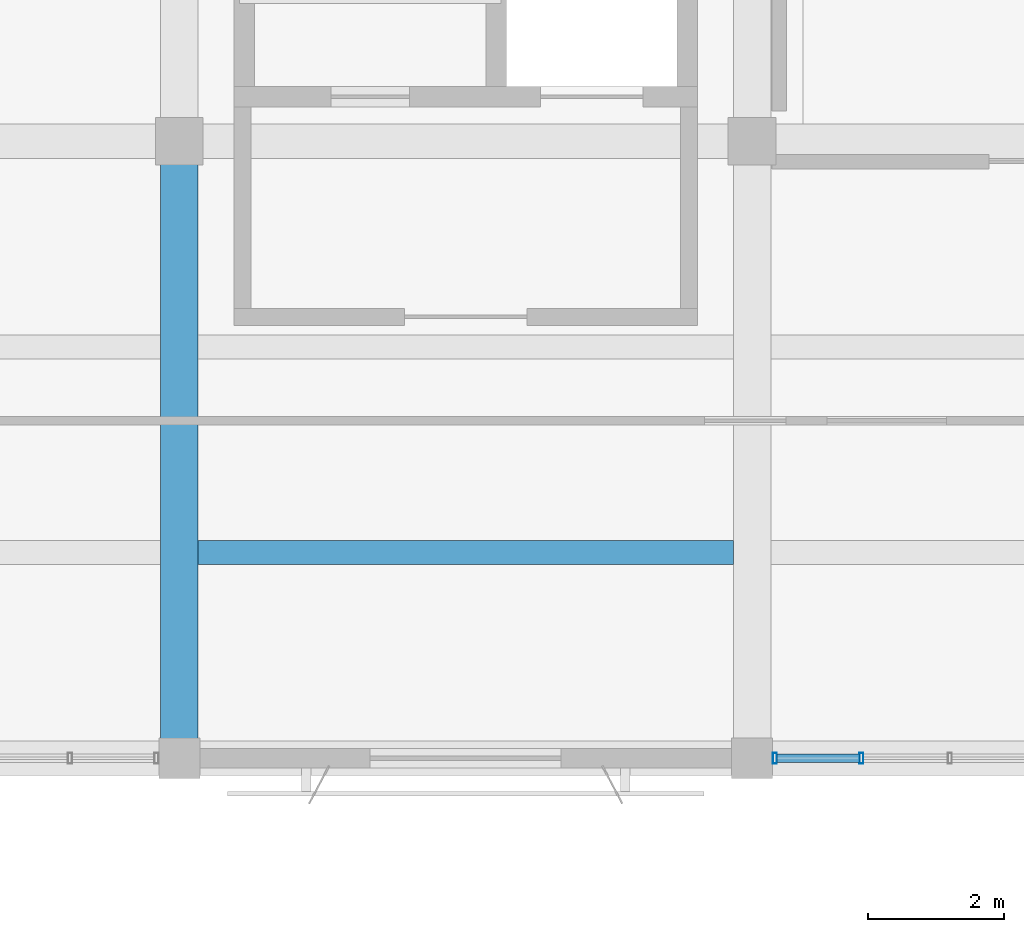
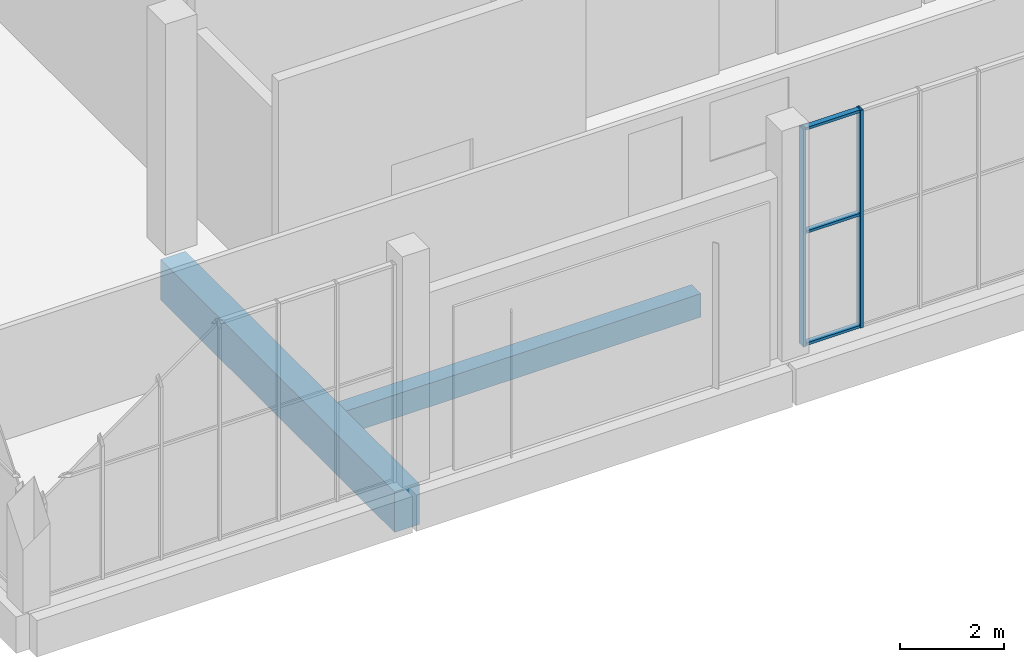
# One storey, part 69 of 132: 5 members, 2 beams, 1 element without a shape of its own.
"""IFC4 building model written with IfcOpenShell, lengths in metres."""

from ifc_helpers import new_model, si_unit, direction, frame, origin, origin_2d, place, context, subcontext, project, spatial, rectangle, hollow_rectangle, extrude, material, material_profile, profile_set, type_object, element, aggregate, save


model = new_model("IFC4")

# Units and contexts
model_context = context("Model", 3, precision=1e-05, world=origin(), true_north=direction((0.0, 1.0)))
body_context = subcontext(model_context, "Body", "Model", "MODEL_VIEW")
ifc_project = project(units=[si_unit("LENGTHUNIT", "METRE"), si_unit("AREAUNIT", "SQUARE_METRE"), si_unit("VOLUMEUNIT", "CUBIC_METRE"), si_unit("PLANEANGLEUNIT", "RADIAN"), si_unit("MASSUNIT", "GRAM", prefix="KILO")], contexts=[model_context])

# Site, building, storey
site_placement = place(None, origin())
site = spatial("IfcSite", under=ifc_project, at=site_placement, CompositionType="ELEMENT")
building_placement = place(site_placement, origin())
building = spatial("IfcBuilding", under=site, at=building_placement, Name="Khurvash Pelagic Aquarium", CompositionType="ELEMENT")
storey_placement = place(building_placement, frame((0.0, 0.0, 5.39990234375)))
storey = spatial("IfcBuildingStorey", under=building, at=storey_placement, Name="L01", CompositionType="ELEMENT", Elevation=5.39990234375)

# Beam
ifc_material_1 = material(Name="Concrete C40/50", Category="concrete")
ifc_material_profile_1 = material_profile(ifc_material_1, rectangle(XDim=0.550048828125, YDim=0.949951171875, at=origin_2d()), Name="RC550X950")
ifc_profile_set_1 = profile_set([ifc_material_profile_1], Name="Concrete C40/50")
beam_type_1 = type_object("IfcBeamType", Name="BM-02", PredefinedType="BEAM", material=ifc_profile_set_1)
beam_1_placement = place(storey_placement, frame((67.199951171875, 84.090087890625, -0.784912109375), z_axis=(0.0, 1.0, 0.0), x_axis=(-1.0, 0.0, 0.0)))
element("IfcBeam", 1, at=beam_1_placement, inside=storey, type_object=beam_type_1, Name="L01 Primary Girder BM-02 00396", PredefinedType="BEAM", context=body_context, shape_type="SweptSolid", body=[
    extrude(rectangle(XDim=0.550048828125, YDim=0.949951171875, at=origin_2d()), origin(), (0.0, 0.0, 1.0), 8.969970703125),
])

# Curtain wall, members
ifc_material_2 = material(Name="Anodised aluminium and low-E laminated glass", Category="aluminium")
curtain_wall_type = type_object("IfcCurtainWallType", Name="CW-05", PredefinedType="USERDEFINED", material=ifc_material_2)
curtain_wall_placement = place(storey_placement, origin())
curtain_wall = element("IfcCurtainWall", 2, at=curtain_wall_placement, inside=storey, type_object=curtain_wall_type, Name="L01 Facade Unitised Curtain Wall CW-05 0138", ObjectType="UNITISED CURTAIN WALL", PredefinedType="USERDEFINED")
ifc_material_3 = material(Name="Extruded aluminium AW-6063-T6", Category="aluminium")
ifc_material_profile_2 = material_profile(ifc_material_3, hollow_rectangle(XDim=0.06005859375, YDim=0.159912109375, WallThickness=0.00390625, at=origin_2d()), Name="CWM60X160X4")
ifc_profile_set_2 = profile_set([ifc_material_profile_2], Name="Extruded aluminium AW-6063-T6")
member_type_1 = type_object("IfcMemberType", Name="CM-02", PredefinedType="MULLION", material=ifc_profile_set_2)
member_1_placement = place(storey_placement, frame((75.93505859375, 84.050048828125, 0.0), z_axis=(0.0, 0.0, 1.0), x_axis=(1.0, 0.0, 0.0)))
member_1 = element("IfcMember", 3, at=member_1_placement, type_object=member_type_1, Name="CW-05 mullion 1", PredefinedType="MULLION", context=body_context, shape_type="SweptSolid", body=[
    extrude(hollow_rectangle(XDim=0.06005859375, YDim=0.159912109375, WallThickness=0.00390625, at=origin_2d()), origin(), (0.0, 0.0, 1.0), 5.10009765625),
])
member_2_placement = place(storey_placement, frame((77.203369140625, 84.050048828125, 0.0), z_axis=(0.0, 0.0, 1.0), x_axis=(1.0, 0.0, 0.0)))
member_2 = element("IfcMember", 4, at=member_2_placement, type_object=member_type_1, Name="CW-05 mullion 2", PredefinedType="MULLION", context=body_context, shape_type="SweptSolid", body=[
    extrude(hollow_rectangle(XDim=0.06005859375, YDim=0.159912109375, WallThickness=0.00390625, at=origin_2d()), origin(), (0.0, 0.0, 1.0), 5.10009765625),
])
ifc_material_profile_3 = material_profile(ifc_material_3, hollow_rectangle(XDim=0.1201171875, YDim=0.06005859375, WallThickness=0.00390625, at=origin_2d()), Name="CWT120X60X4")
ifc_profile_set_3 = profile_set([ifc_material_profile_3], Name="Extruded aluminium AW-6063-T6")
member_type_2 = type_object("IfcMemberType", Name="CT-02", PredefinedType="USERDEFINED", material=ifc_profile_set_3)
member_3_placement = place(storey_placement, frame((75.965087890625, 84.050048828125, 0.030029296875), z_axis=(1.0, 0.0, 0.0), x_axis=(0.0, 1.0, 0.0)))
member_3 = element("IfcMember", 5, at=member_3_placement, type_object=member_type_2, Name="CW-05 transom 1.1", ObjectType="TRANSOM", PredefinedType="USERDEFINED", context=body_context, shape_type="SweptSolid", body=[
    extrude(hollow_rectangle(XDim=0.1201171875, YDim=0.06005859375, WallThickness=0.00390625, at=origin_2d()), origin(), (0.0, 0.0, 1.0), 1.208251953125),
])
member_4_placement = place(storey_placement, frame((75.965087890625, 84.050048828125, 2.652099609375), z_axis=(1.0, 0.0, 0.0), x_axis=(0.0, 1.0, 0.0)))
member_4 = element("IfcMember", 6, at=member_4_placement, type_object=member_type_2, Name="CW-05 transom 1.2", ObjectType="TRANSOM", PredefinedType="USERDEFINED", context=body_context, shape_type="SweptSolid", body=[
    extrude(hollow_rectangle(XDim=0.1201171875, YDim=0.06005859375, WallThickness=0.00390625, at=origin_2d()), origin(), (0.0, 0.0, 1.0), 1.208251953125),
])
member_5_placement = place(storey_placement, frame((75.965087890625, 84.050048828125, 5.070068359375), z_axis=(1.0, 0.0, 0.0), x_axis=(0.0, 1.0, 0.0)))
member_5 = element("IfcMember", 7, at=member_5_placement, type_object=member_type_2, Name="CW-05 transom 1.3", ObjectType="TRANSOM", PredefinedType="USERDEFINED", context=body_context, shape_type="SweptSolid", body=[
    extrude(hollow_rectangle(XDim=0.1201171875, YDim=0.06005859375, WallThickness=0.00390625, at=origin_2d()), origin(), (0.0, 0.0, 1.0), 1.208251953125),
])
aggregate(curtain_wall, [member_1, member_2, member_3, member_4, member_5])

# Beam
ifc_material_4 = material(Name="Concrete C35/45", Category="concrete")
ifc_material_profile_4 = material_profile(ifc_material_4, rectangle(XDim=0.35009765625, YDim=0.550048828125, at=origin_2d()), Name="RC350X550")
ifc_profile_set_4 = profile_set([ifc_material_profile_4], Name="Concrete C35/45")
beam_type_2 = type_object("IfcBeamType", Name="JS-01", PredefinedType="JOIST", material=ifc_profile_set_4)
beam_2_placement = place(storey_placement, frame((67.47509765625, 87.06689453125, -0.5849609375), z_axis=(1.0, 0.0, 0.0), x_axis=(0.0, 1.0, 0.0)))
element("IfcBeam", 8, at=beam_2_placement, inside=storey, type_object=beam_type_2, Name="L01 Floor Joist JS-01 00512", PredefinedType="JOIST", context=body_context, shape_type="SweptSolid", body=[
    extrude(rectangle(XDim=0.35009765625, YDim=0.550048828125, at=origin_2d()), origin(), (0.0, 0.0, 1.0), 7.849853515625),
])

save(model, "model.ifc")
